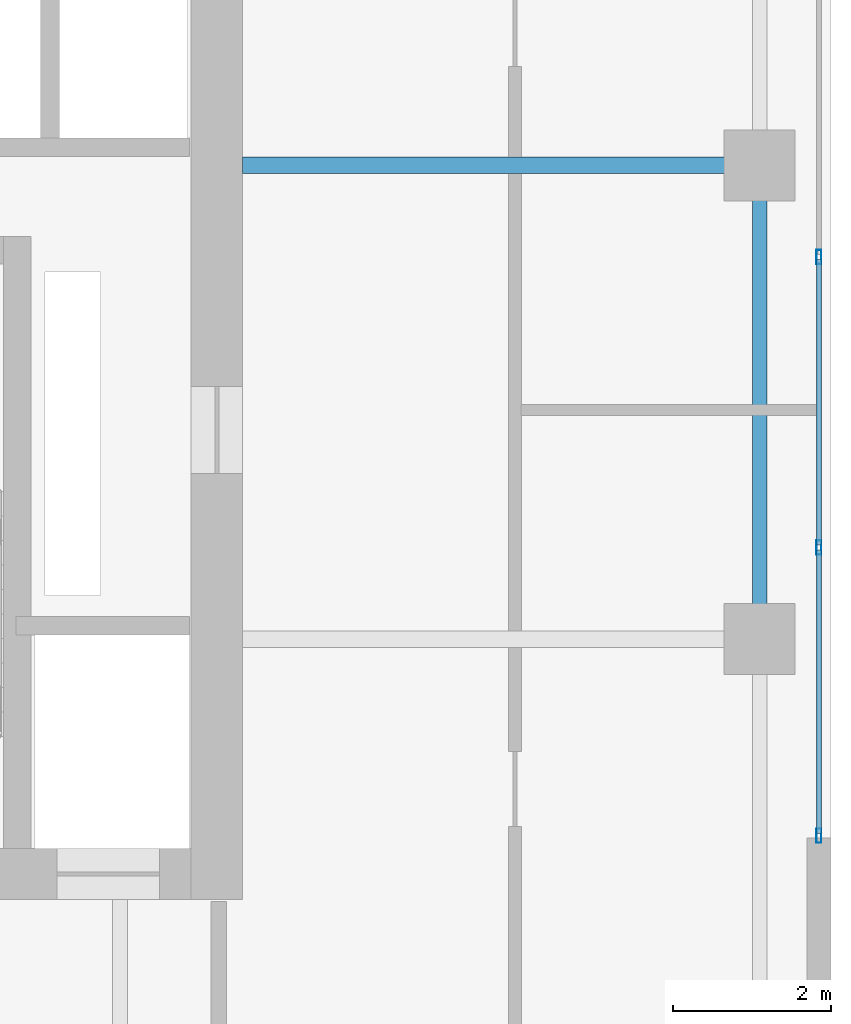
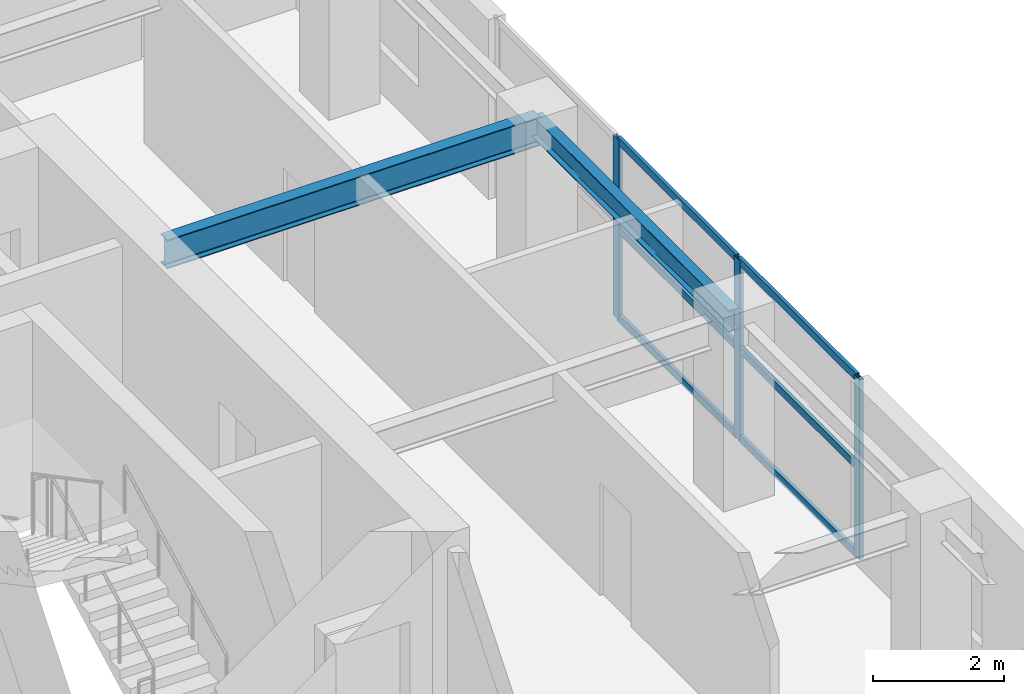
# One storey, part 6 of 14: 9 members, 2 beams, 1 element without a shape of its own.
"""IFC4 building model written with IfcOpenShell, lengths in metres."""

from ifc_helpers import new_model, si_unit, direction, frame, origin, origin_2d, place, context, subcontext, project, spatial, hollow_rectangle, i_section, extrude, source, transform, mapped, material, layer, layer_set, material_profile, profile_set, type_object, element, aggregate, save


model = new_model("IFC4")

# Units and contexts
model_context = context("Model", 3, precision=1e-05, world=origin(), true_north=direction((0.0, 1.0)))
body_context = subcontext(model_context, "Body", "Model", "MODEL_VIEW")
ifc_project = project(units=[si_unit("LENGTHUNIT", "METRE"), si_unit("AREAUNIT", "SQUARE_METRE"), si_unit("VOLUMEUNIT", "CUBIC_METRE"), si_unit("PLANEANGLEUNIT", "RADIAN"), si_unit("MASSUNIT", "GRAM", prefix="KILO")], contexts=[model_context])

# Site, building, storey
site_placement = place(None, origin())
site = spatial("IfcSite", under=ifc_project, at=site_placement, CompositionType="ELEMENT")
building_placement = place(site_placement, origin())
building = spatial("IfcBuilding", under=site, at=building_placement, Name="Khoralis Quay Care Tower", CompositionType="ELEMENT")
storey_placement = place(building_placement, frame((0.0, 0.0, 177.300048828125)))
storey = spatial("IfcBuildingStorey", under=building, at=storey_placement, Name="L46", CompositionType="ELEMENT", Elevation=177.300048828125)

# Beams
ifc_material_1 = material(Name="Steel S355", Category="steel")
ifc_material_profile_1 = material_profile(ifc_material_1, i_section(OverallWidth=0.179931640625, OverallDepth=0.39990234375, WebThickness=0.008544921875, FlangeThickness=0.013427734375, FilletRadius=0.02099609375, at=origin_2d()), Name="Steel S355")
ifc_profile_set_1 = profile_set([ifc_material_profile_1], Name="Steel S355")
beam_type_1 = type_object("IfcBeamType", Name="BM-IPE400", PredefinedType="SPANDREL", material=ifc_profile_set_1)
shared_shape_1 = source(origin(), body_context, "Body", "SweptSolid", [
    extrude(i_section(OverallWidth=0.179931640625, OverallDepth=0.39990234375, WebThickness=0.008544921875, FlangeThickness=0.013427734375, FilletRadius=0.02099609375, at=origin_2d()), origin(), (0.0, 0.0, 1.0), 6.0),
])
beam_1_placement = place(storey_placement, frame((44.10009765625, 18.0, 3.139892578125), z_axis=(0.0, 1.0, 0.0), x_axis=(-1.0, 0.0, 0.0)))
element("IfcBeam", 1, at=beam_1_placement, inside=storey, type_object=beam_type_1, Name="BM-TSP-L46-16", PredefinedType="SPANDREL", context=body_context, shape_type="MappedRepresentation", body=[
    mapped(shared_shape_1, transform((0.0, 0.0, 0.0), scale=1.0)),
])
ifc_material_profile_2 = material_profile(ifc_material_1, i_section(OverallWidth=0.208984375, OverallDepth=0.532958984375, WebThickness=0.01025390625, FlangeThickness=0.015625, FilletRadius=0.01611328125, at=origin_2d()), Name="Steel S355")
ifc_profile_set_2 = profile_set([ifc_material_profile_2], Name="Steel S355")
beam_type_2 = type_object("IfcBeamType", Name="BM-W530X92", PredefinedType="BEAM", material=ifc_profile_set_2)
shared_shape_2 = source(origin(), body_context, "Body", "SweptSolid", [
    extrude(i_section(OverallWidth=0.208984375, OverallDepth=0.532958984375, WebThickness=0.01025390625, FlangeThickness=0.015625, FilletRadius=0.01611328125, at=origin_2d()), origin(), (0.0, 0.0, 1.0), 6.552001953125),
])
beam_2_placement = place(storey_placement, frame((37.548095703125, 24.0, 3.073486328125), z_axis=(1.0, 0.0, 0.0), x_axis=(0.0, 1.0, 0.0)))
element("IfcBeam", 2, at=beam_2_placement, inside=storey, type_object=beam_type_2, Name="BM-TGXE-L46-240", PredefinedType="BEAM", context=body_context, shape_type="MappedRepresentation", body=[
    mapped(shared_shape_2, transform((0.0, 0.0, 0.0), scale=1.0)),
])

# Curtain wall, members
ifc_material_2 = material(Name="Pale anodised aluminium", Category="aluminium")
ifc_layer = layer(ifc_material_2, 0.159912109375)
ifc_layer_set = layer_set([ifc_layer], Name="Pale anodised aluminium")
curtain_wall_type = type_object("IfcCurtainWallType", Name="CW-SYS-Z3", PredefinedType="NOTDEFINED", material=ifc_layer_set)
curtain_wall_placement = place(storey_placement, origin())
curtain_wall = element("IfcCurtainWall", 3, at=curtain_wall_placement, inside=storey, type_object=curtain_wall_type, Name="L46 Unitised Curtain Wall CW-L46-P1-E5", PredefinedType="NOTDEFINED")
ifc_material_profile_3 = material_profile(ifc_material_2, hollow_rectangle(XDim=0.06494140625, YDim=0.179931640625, WallThickness=0.00390625, at=origin_2d()), Name="Pale anodised aluminium")
ifc_profile_set_3 = profile_set([ifc_material_profile_3], Name="Pale anodised aluminium")
member_type_1 = type_object("IfcMemberType", Name="CW-MUL-180", PredefinedType="MULLION", material=ifc_profile_set_3)
shared_shape_3 = source(origin(), body_context, "Body", "SweptSolid", [
    extrude(hollow_rectangle(XDim=0.06494140625, YDim=0.179931640625, WallThickness=0.00390625, at=origin_2d()), origin(), (0.0, 0.0, 1.0), 3.33984375),
])
member_1_placement = place(storey_placement, frame((44.85009765625, 15.510009765625, 0.0), z_axis=(0.0, 0.0, 1.0), x_axis=(-1.0, 0.0, 0.0)))
member_1 = element("IfcMember", 4, at=member_1_placement, type_object=member_type_1, Name="CW3 mullion 1", PredefinedType="MULLION", context=body_context, shape_type="MappedRepresentation", body=[
    mapped(shared_shape_3, transform((0.0, 0.0, 0.0), scale=1.0)),
])
member_2_placement = place(storey_placement, frame((44.85009765625, 19.159912109375, 0.0), z_axis=(0.0, 0.0, 1.0), x_axis=(-1.0, 0.0, 0.0)))
member_2 = element("IfcMember", 5, at=member_2_placement, type_object=member_type_1, Name="CW3 mullion 2", PredefinedType="MULLION", context=body_context, shape_type="MappedRepresentation", body=[
    mapped(shared_shape_3, transform((0.0, 0.0, 0.0), scale=1.0)),
])
member_3_placement = place(storey_placement, frame((44.85009765625, 22.840087890625, 0.0), z_axis=(0.0, 0.0, 1.0), x_axis=(-1.0, 0.0, 0.0)))
member_3 = element("IfcMember", 6, at=member_3_placement, type_object=member_type_1, Name="CW3 mullion 3", PredefinedType="MULLION", context=body_context, shape_type="MappedRepresentation", body=[
    mapped(shared_shape_3, transform((0.0, 0.0, 0.0), scale=1.0)),
])
ifc_material_profile_4 = material_profile(ifc_material_2, hollow_rectangle(XDim=0.06005859375, YDim=0.139892578125, WallThickness=0.00390625, at=origin_2d()), Name="Pale anodised aluminium")
ifc_profile_set_4 = profile_set([ifc_material_profile_4], Name="Pale anodised aluminium")
member_type_2 = type_object("IfcMemberType", Name="CW-TRN-140", PredefinedType="USERDEFINED", material=ifc_profile_set_4)
shared_shape_4 = source(origin(), body_context, "Body", "SweptSolid", [
    extrude(hollow_rectangle(XDim=0.06005859375, YDim=0.139892578125, WallThickness=0.00390625, at=origin_2d()), origin(), (0.0, 0.0, 1.0), 3.58984375),
])
member_4_placement = place(storey_placement, frame((44.85009765625, 15.5400390625, 0.030029296875), z_axis=(0.0, 1.0, 0.0), x_axis=(-1.0, 0.0, 0.0)))
member_4 = element("IfcMember", 7, at=member_4_placement, type_object=member_type_2, Name="CW3 transom 1.1", ObjectType="TRANSOM", PredefinedType="USERDEFINED", context=body_context, shape_type="MappedRepresentation", body=[
    mapped(shared_shape_4, transform((0.0, 0.0, 0.0), scale=1.0)),
])
member_5_placement = place(storey_placement, frame((44.85009765625, 15.5400390625, 1.669921875), z_axis=(0.0, 1.0, 0.0), x_axis=(-1.0, 0.0, 0.0)))
member_5 = element("IfcMember", 8, at=member_5_placement, type_object=member_type_2, Name="CW3 transom 1.2", ObjectType="TRANSOM", PredefinedType="USERDEFINED", context=body_context, shape_type="MappedRepresentation", body=[
    mapped(shared_shape_4, transform((0.0, 0.0, 0.0), scale=1.0)),
])
member_6_placement = place(storey_placement, frame((44.85009765625, 15.5400390625, 3.31005859375), z_axis=(0.0, 1.0, 0.0), x_axis=(-1.0, 0.0, 0.0)))
member_6 = element("IfcMember", 9, at=member_6_placement, type_object=member_type_2, Name="CW3 transom 1.3", ObjectType="TRANSOM", PredefinedType="USERDEFINED", context=body_context, shape_type="MappedRepresentation", body=[
    mapped(shared_shape_4, transform((0.0, 0.0, 0.0), scale=1.0)),
])
shared_shape_5 = source(origin(), body_context, "Body", "SweptSolid", [
    extrude(hollow_rectangle(XDim=0.06005859375, YDim=0.139892578125, WallThickness=0.00390625, at=origin_2d()), origin(), (0.0, 0.0, 1.0), 3.6201171875),
])
member_7_placement = place(storey_placement, frame((44.85009765625, 19.18994140625, 0.030029296875), z_axis=(0.0, 1.0, 0.0), x_axis=(-1.0, 0.0, 0.0)))
member_7 = element("IfcMember", 10, at=member_7_placement, type_object=member_type_2, Name="CW3 transom 2.1", ObjectType="TRANSOM", PredefinedType="USERDEFINED", context=body_context, shape_type="MappedRepresentation", body=[
    mapped(shared_shape_5, transform((0.0, 0.0, 0.0), scale=1.0)),
])
member_8_placement = place(storey_placement, frame((44.85009765625, 19.18994140625, 1.669921875), z_axis=(0.0, 1.0, 0.0), x_axis=(-1.0, 0.0, 0.0)))
member_8 = element("IfcMember", 11, at=member_8_placement, type_object=member_type_2, Name="CW3 transom 2.2", ObjectType="TRANSOM", PredefinedType="USERDEFINED", context=body_context, shape_type="MappedRepresentation", body=[
    mapped(shared_shape_5, transform((0.0, 0.0, 0.0), scale=1.0)),
])
member_9_placement = place(storey_placement, frame((44.85009765625, 19.18994140625, 3.31005859375), z_axis=(0.0, 1.0, 0.0), x_axis=(-1.0, 0.0, 0.0)))
member_9 = element("IfcMember", 12, at=member_9_placement, type_object=member_type_2, Name="CW3 transom 2.3", ObjectType="TRANSOM", PredefinedType="USERDEFINED", context=body_context, shape_type="MappedRepresentation", body=[
    mapped(shared_shape_5, transform((0.0, 0.0, 0.0), scale=1.0)),
])
aggregate(curtain_wall, [member_1, member_2, member_3, member_4, member_5, member_6, member_7, member_8, member_9])

save(model, "model.ifc")
